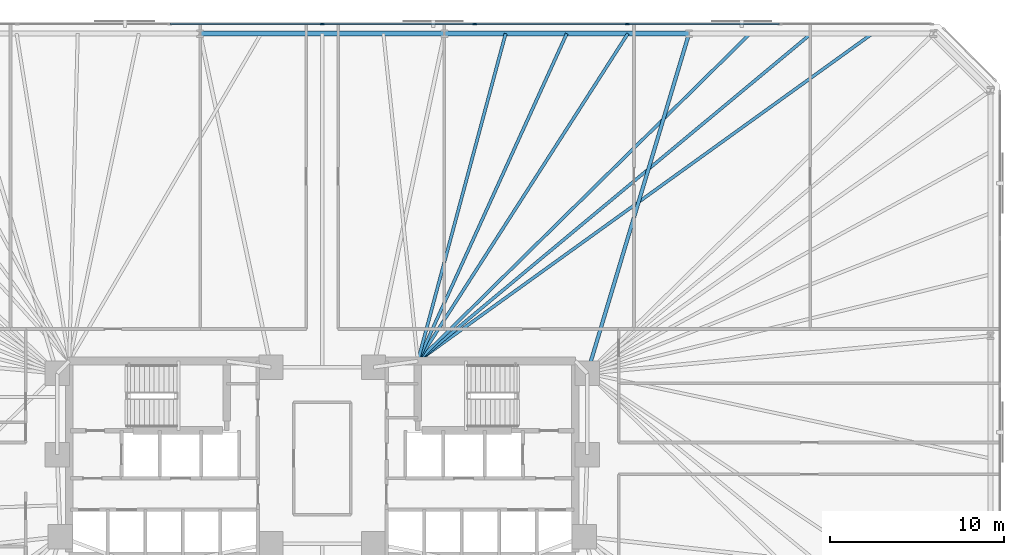
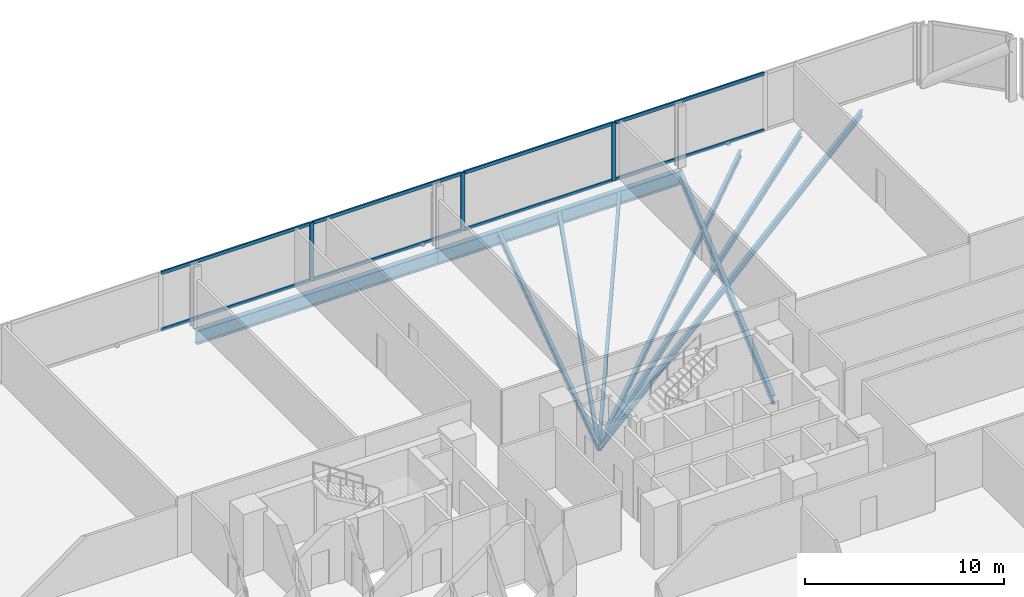
# One storey, part 9 of 17: 11 members, 9 beams, 1 element without a shape of its own.
"""IFC4 building model written with IfcOpenShell, lengths in metres."""

from ifc_helpers import new_model, si_unit, direction, frame, origin, origin_2d, place, context, subcontext, project, spatial, rectangle, i_section, extrude, material, material_profile, profile_set, type_object, element, aggregate, save


model = new_model("IFC4")

# Units and contexts
model_context = context("Model", 3, precision=1e-05, world=origin(), true_north=direction((0.0, 1.0)))
body_context = subcontext(model_context, "Body", "Model", "MODEL_VIEW")
ifc_project = project(units=[si_unit("LENGTHUNIT", "METRE"), si_unit("AREAUNIT", "SQUARE_METRE"), si_unit("VOLUMEUNIT", "CUBIC_METRE"), si_unit("PLANEANGLEUNIT", "RADIAN"), si_unit("MASSUNIT", "GRAM", prefix="KILO")], contexts=[model_context])

# Site, building, storey
site_placement = place(None, origin())
site = spatial("IfcSite", under=ifc_project, at=site_placement, CompositionType="ELEMENT")
building_placement = place(site_placement, origin())
building = spatial("IfcBuilding", under=site, at=building_placement, Name="Menara Jurai Vektor", CompositionType="ELEMENT")
storey_placement = place(building_placement, frame((0.0, 0.0, 25.60009765625)))
storey = spatial("IfcBuildingStorey", under=building, at=storey_placement, Name="L05", CompositionType="ELEMENT", Elevation=25.60009765625)

# Curtain wall, members
ifc_material_1 = material(Name="Anodised Pale Aluminium & Low-E Double Glazing", Category="aluminium")
curtain_wall_type = type_object("IfcCurtainWallType", Name="CW-BLK1", PredefinedType="NOTDEFINED", material=ifc_material_1)
curtain_wall_placement = place(storey_placement, origin())
curtain_wall = element("IfcCurtainWall", 1, at=curtain_wall_placement, inside=storey, type_object=curtain_wall_type, Name="Unitised Curtain Wall L05 F05", PredefinedType="NOTDEFINED")
ifc_material_2 = material(Name="Anodised Pale Aluminium Mullion", Category="aluminium")
ifc_material_profile_1 = material_profile(ifc_material_2, rectangle(XDim=0.094970703125, YDim=0.239990234375, at=origin_2d()), Name="ALU MUL 95x240")
ifc_profile_set_1 = profile_set([ifc_material_profile_1], Name="Anodised Pale Aluminium Mullion")
member_type_1 = type_object("IfcMemberType", Name="CW-BLK1-MUL", PredefinedType="MULLION", material=ifc_profile_set_1)
member_1_placement = place(storey_placement, frame((17.56005859375, 25.0, 0.0), z_axis=(0.0, 0.0, 1.0), x_axis=(0.0, -1.0, 0.0)))
member_1 = element("IfcMember", 2, at=member_1_placement, type_object=member_type_1, Name="CW-01 mullion 3", PredefinedType="MULLION", context=body_context, shape_type="SweptSolid", body=[
    extrude(rectangle(XDim=0.094970703125, YDim=0.239990234375, at=origin_2d()), origin(), (0.0, 0.0, 1.0), 3.574951171875),
])
member_2_placement = place(storey_placement, frame((8.780029296875, 25.0, 0.0), z_axis=(0.0, 0.0, 1.0), x_axis=(0.0, -1.0, 0.0)))
member_2 = element("IfcMember", 3, at=member_2_placement, type_object=member_type_1, Name="CW-01 mullion 4", PredefinedType="MULLION", context=body_context, shape_type="SweptSolid", body=[
    extrude(rectangle(XDim=0.094970703125, YDim=0.239990234375, at=origin_2d()), origin(), (0.0, 0.0, 1.0), 3.574951171875),
])
member_3_placement = place(storey_placement, frame((0.0, 25.0, 0.0), z_axis=(0.0, 0.0, 1.0), x_axis=(0.0, -1.0, 0.0)))
member_3 = element("IfcMember", 4, at=member_3_placement, type_object=member_type_1, Name="CW-01 mullion 5", PredefinedType="MULLION", context=body_context, shape_type="SweptSolid", body=[
    extrude(rectangle(XDim=0.094970703125, YDim=0.239990234375, at=origin_2d()), origin(), (0.0, 0.0, 1.0), 3.574951171875),
])
ifc_material_3 = material(Name="Anodised Pale Aluminium Transom", Category="aluminium")
ifc_material_profile_2 = material_profile(ifc_material_3, rectangle(XDim=0.094970703125, YDim=0.199951171875, at=origin_2d()), Name="ALU TRN 95x200")
ifc_profile_set_2 = profile_set([ifc_material_profile_2], Name="Anodised Pale Aluminium Transom")
member_type_2 = type_object("IfcMemberType", Name="CW-BLK1-TRN", PredefinedType="USERDEFINED", material=ifc_profile_set_2)
member_4_placement = place(storey_placement, frame((26.29248046875, 25.0, 0.04736328125), z_axis=(-1.0, 0.0, 0.0), x_axis=(0.0, -1.0, 0.0)))
member_4 = element("IfcMember", 5, at=member_4_placement, type_object=member_type_2, Name="CW-01 transom 2.1", ObjectType="TRANSOM", PredefinedType="USERDEFINED", context=body_context, shape_type="SweptSolid", body=[
    extrude(rectangle(XDim=0.094970703125, YDim=0.199951171875, at=origin_2d()), origin(), (0.0, 0.0, 1.0), 8.68505859375),
])
member_5_placement = place(storey_placement, frame((26.29248046875, 25.0, 3.52734375), z_axis=(-1.0, 0.0, 0.0), x_axis=(0.0, -1.0, 0.0)))
member_5 = element("IfcMember", 6, at=member_5_placement, type_object=member_type_2, Name="CW-01 transom 2.2", ObjectType="TRANSOM", PredefinedType="USERDEFINED", context=body_context, shape_type="SweptSolid", body=[
    extrude(rectangle(XDim=0.094970703125, YDim=0.199951171875, at=origin_2d()), origin(), (0.0, 0.0, 1.0), 8.68505859375),
])
member_6_placement = place(storey_placement, frame((17.512451171875, 25.0, 0.04736328125), z_axis=(-1.0, 0.0, 0.0), x_axis=(0.0, -1.0, 0.0)))
member_6 = element("IfcMember", 7, at=member_6_placement, type_object=member_type_2, Name="CW-01 transom 3.1", ObjectType="TRANSOM", PredefinedType="USERDEFINED", context=body_context, shape_type="SweptSolid", body=[
    extrude(rectangle(XDim=0.094970703125, YDim=0.199951171875, at=origin_2d()), origin(), (0.0, 0.0, 1.0), 8.68505859375),
])
member_7_placement = place(storey_placement, frame((17.512451171875, 25.0, 3.52734375), z_axis=(-1.0, 0.0, 0.0), x_axis=(0.0, -1.0, 0.0)))
member_7 = element("IfcMember", 8, at=member_7_placement, type_object=member_type_2, Name="CW-01 transom 3.2", ObjectType="TRANSOM", PredefinedType="USERDEFINED", context=body_context, shape_type="SweptSolid", body=[
    extrude(rectangle(XDim=0.094970703125, YDim=0.199951171875, at=origin_2d()), origin(), (0.0, 0.0, 1.0), 8.68505859375),
])
member_8_placement = place(storey_placement, frame((8.732421875, 25.0, 0.04736328125), z_axis=(-1.0, 0.0, 0.0), x_axis=(0.0, -1.0, 0.0)))
member_8 = element("IfcMember", 9, at=member_8_placement, type_object=member_type_2, Name="CW-01 transom 4.1", ObjectType="TRANSOM", PredefinedType="USERDEFINED", context=body_context, shape_type="SweptSolid", body=[
    extrude(rectangle(XDim=0.094970703125, YDim=0.199951171875, at=origin_2d()), origin(), (0.0, 0.0, 1.0), 8.684814453125),
])
member_9_placement = place(storey_placement, frame((8.732421875, 25.0, 3.52734375), z_axis=(-1.0, 0.0, 0.0), x_axis=(0.0, -1.0, 0.0)))
member_9 = element("IfcMember", 10, at=member_9_placement, type_object=member_type_2, Name="CW-01 transom 4.2", ObjectType="TRANSOM", PredefinedType="USERDEFINED", context=body_context, shape_type="SweptSolid", body=[
    extrude(rectangle(XDim=0.094970703125, YDim=0.199951171875, at=origin_2d()), origin(), (0.0, 0.0, 1.0), 8.684814453125),
])
member_10_placement = place(storey_placement, frame((-0.047607421875, 25.0, 0.04736328125), z_axis=(-1.0, 0.0, 0.0), x_axis=(0.0, -1.0, 0.0)))
member_10 = element("IfcMember", 11, at=member_10_placement, type_object=member_type_2, Name="CW-01 transom 5.1", ObjectType="TRANSOM", PredefinedType="USERDEFINED", context=body_context, shape_type="SweptSolid", body=[
    extrude(rectangle(XDim=0.094970703125, YDim=0.199951171875, at=origin_2d()), origin(), (0.0, 0.0, 1.0), 8.684814453125),
])
member_11_placement = place(storey_placement, frame((-0.047607421875, 25.0, 3.52734375), z_axis=(-1.0, 0.0, 0.0), x_axis=(0.0, -1.0, 0.0)))
member_11 = element("IfcMember", 12, at=member_11_placement, type_object=member_type_2, Name="CW-01 transom 5.2", ObjectType="TRANSOM", PredefinedType="USERDEFINED", context=body_context, shape_type="SweptSolid", body=[
    extrude(rectangle(XDim=0.094970703125, YDim=0.199951171875, at=origin_2d()), origin(), (0.0, 0.0, 1.0), 8.684814453125),
])
aggregate(curtain_wall, [member_1, member_2, member_3, member_4, member_5, member_6, member_7, member_8, member_9, member_10, member_11])

# Beams
ifc_material_4 = material(Name="Steel S355", Category="steel")
ifc_material_profile_3 = material_profile(ifc_material_4, i_section(OverallWidth=0.2109375, OverallDepth=0.5390625, WebThickness=0.011962890625, FlangeThickness=0.01904296875, FilletRadius=0.012939453125, at=origin_2d()), Name="UKB 533x210x109")
ifc_profile_set_3 = profile_set([ifc_material_profile_3], Name="Steel S355")
beam_type_1 = type_object("IfcBeamType", Name="STR-BM-533", PredefinedType="BEAM", material=ifc_profile_set_3)
beam_1_placement = place(storey_placement, frame((21.106689453125, 24.449951171875, -0.49462890625), z_axis=(-0.286973617166, -0.957938486047, 0.0), x_axis=(0.957938486047, -0.286973617166, 0.0)))
element("IfcBeam", 13, at=beam_1_placement, inside=storey, type_object=beam_type_1, Name="Radial Floor Girder L05-N2", PredefinedType="BEAM", context=body_context, shape_type="SweptSolid", body=[
    extrude(i_section(OverallWidth=0.2109375, OverallDepth=0.5390625, WebThickness=0.011962890625, FlangeThickness=0.01904296875, FilletRadius=0.012939453125, at=origin_2d()), origin(), (0.0, 0.0, 1.0), 20.408447265625),
])
ifc_material_profile_4 = material_profile(ifc_material_4, i_section(OverallWidth=0.178955078125, OverallDepth=0.408935546875, WebThickness=0.009033203125, FlangeThickness=0.013916015625, FilletRadius=0.010009765625, at=origin_2d()), Name="UKB 406x178x67")
ifc_profile_set_4 = profile_set([ifc_material_profile_4], Name="Steel S355")
beam_type_2 = type_object("IfcBeamType", Name="STR-JS-406", PredefinedType="JOIST", material=ifc_profile_set_4)
beam_2_placement = place(storey_placement, frame((31.659912109375, 24.449951171875, -0.4296875), z_axis=(-0.81131785733, -0.584605280833, 0.0), x_axis=(0.584605280833, -0.81131785733, 0.0)))
element("IfcBeam", 14, at=beam_2_placement, inside=storey, type_object=beam_type_2, Name="Radial Secondary Floor Joist L05-JS16", PredefinedType="JOIST", context=body_context, shape_type="SweptSolid", body=[
    extrude(i_section(OverallWidth=0.178955078125, OverallDepth=0.408935546875, WebThickness=0.009033203125, FlangeThickness=0.013916015625, FilletRadius=0.010009765625, at=origin_2d()), origin(), (0.0, 0.0, 1.0), 32.24365234375),
])
beam_3_placement = place(storey_placement, frame((28.142333984375, 24.449951171875, -0.4296875), z_axis=(-0.76853431665, -0.639808568347, 0.0), x_axis=(0.639808568347, -0.76853431665, 0.0)))
element("IfcBeam", 15, at=beam_3_placement, inside=storey, type_object=beam_type_2, Name="Radial Secondary Floor Joist L05-JS17", PredefinedType="JOIST", context=body_context, shape_type="SweptSolid", body=[
    extrude(i_section(OverallWidth=0.178955078125, OverallDepth=0.408935546875, WebThickness=0.009033203125, FlangeThickness=0.013916015625, FilletRadius=0.010009765625, at=origin_2d()), origin(), (0.0, 0.0, 1.0), 29.461669921875),
])
beam_4_placement = place(storey_placement, frame((24.62451171875, 24.449951171875, -0.4296875), z_axis=(-0.712202462998, -0.70197411042, 0.0), x_axis=(0.70197411042, -0.712202462998, 0.0)))
element("IfcBeam", 16, at=beam_4_placement, inside=storey, type_object=beam_type_2, Name="Radial Secondary Floor Joist L05-JS18", PredefinedType="JOIST", context=body_context, shape_type="SweptSolid", body=[
    extrude(i_section(OverallWidth=0.178955078125, OverallDepth=0.408935546875, WebThickness=0.009033203125, FlangeThickness=0.013916015625, FilletRadius=0.010009765625, at=origin_2d()), origin(), (0.0, 0.0, 1.0), 26.8525390625),
])
beam_5_placement = place(storey_placement, frame((17.5888671875, 24.449951171875, -0.4296875), z_axis=(-0.53984422461, -0.841764939372, 0.0), x_axis=(0.841764939372, -0.53984422461, 0.0)))
element("IfcBeam", 17, at=beam_5_placement, inside=storey, type_object=beam_type_2, Name="Radial Secondary Floor Joist L05-JS19", PredefinedType="JOIST", context=body_context, shape_type="SweptSolid", body=[
    extrude(i_section(OverallWidth=0.178955078125, OverallDepth=0.408935546875, WebThickness=0.009033203125, FlangeThickness=0.013916015625, FilletRadius=0.010009765625, at=origin_2d()), origin(), (0.0, 0.0, 1.0), 22.393310546875),
])
beam_6_placement = place(storey_placement, frame((14.071044921875, 24.449951171875, -0.4296875), z_axis=(-0.413920197297, -0.910313171535, 0.0), x_axis=(0.910313171535, -0.413920197297, 0.0)))
element("IfcBeam", 18, at=beam_6_placement, inside=storey, type_object=beam_type_2, Name="Radial Secondary Floor Joist L05-JS20", PredefinedType="JOIST", context=body_context, shape_type="SweptSolid", body=[
    extrude(i_section(OverallWidth=0.178955078125, OverallDepth=0.408935546875, WebThickness=0.009033203125, FlangeThickness=0.013916015625, FilletRadius=0.010009765625, at=origin_2d()), origin(), (0.0, 0.0, 1.0), 20.70703125),
])
beam_7_placement = place(storey_placement, frame((10.55322265625, 24.449951171875, -0.4296875), z_axis=(-0.258934723238, -0.965894823002, 0.0), x_axis=(0.965894823002, -0.258934723238, 0.0)))
element("IfcBeam", 19, at=beam_7_placement, inside=storey, type_object=beam_type_2, Name="Radial Secondary Floor Joist L05-JS21", PredefinedType="JOIST", context=body_context, shape_type="SweptSolid", body=[
    extrude(i_section(OverallWidth=0.178955078125, OverallDepth=0.408935546875, WebThickness=0.009033203125, FlangeThickness=0.013916015625, FilletRadius=0.010009765625, at=origin_2d()), origin(), (0.0, 0.0, 1.0), 19.515380859375),
])
ifc_material_5 = material(Name="Steel S460", Category="steel")
ifc_material_profile_5 = material_profile(ifc_material_5, i_section(OverallWidth=0.2939453125, OverallDepth=0.85107421875, WebThickness=0.01611328125, FlangeThickness=0.027099609375, FilletRadius=0.01806640625, at=origin_2d()), Name="UKB 838x292x226")
ifc_profile_set_5 = profile_set([ifc_material_profile_5], Name="Steel S460")
beam_type_3 = type_object("IfcBeamType", Name="STR-SP-838", PredefinedType="SPANDREL", material=ifc_profile_set_5)
beam_8_placement = place(storey_placement, frame((21.106689453125, 24.449951171875, -0.650634765625), z_axis=(-1.0, 0.0, 0.0), x_axis=(0.0, -1.0, 0.0)))
element("IfcBeam", 20, at=beam_8_placement, inside=storey, type_object=beam_type_3, Name="Exoskeleton Spandrel Beam L05-12", PredefinedType="SPANDREL", context=body_context, shape_type="SweptSolid", body=[
    extrude(i_section(OverallWidth=0.2939453125, OverallDepth=0.85107421875, WebThickness=0.01611328125, FlangeThickness=0.027099609375, FilletRadius=0.01806640625, at=origin_2d()), origin(), (0.0, 0.0, 1.0), 14.071044921875),
])
beam_9_placement = place(storey_placement, frame((7.03564453125, 24.449951171875, -0.650634765625), z_axis=(-1.0, 0.0, 0.0), x_axis=(0.0, -1.0, 0.0)))
element("IfcBeam", 21, at=beam_9_placement, inside=storey, type_object=beam_type_3, Name="Exoskeleton Spandrel Beam L05-13", PredefinedType="SPANDREL", context=body_context, shape_type="SweptSolid", body=[
    extrude(i_section(OverallWidth=0.2939453125, OverallDepth=0.85107421875, WebThickness=0.01611328125, FlangeThickness=0.027099609375, FilletRadius=0.01806640625, at=origin_2d()), origin(), (0.0, 0.0, 1.0), 14.0712890625),
])

save(model, "model.ifc")
